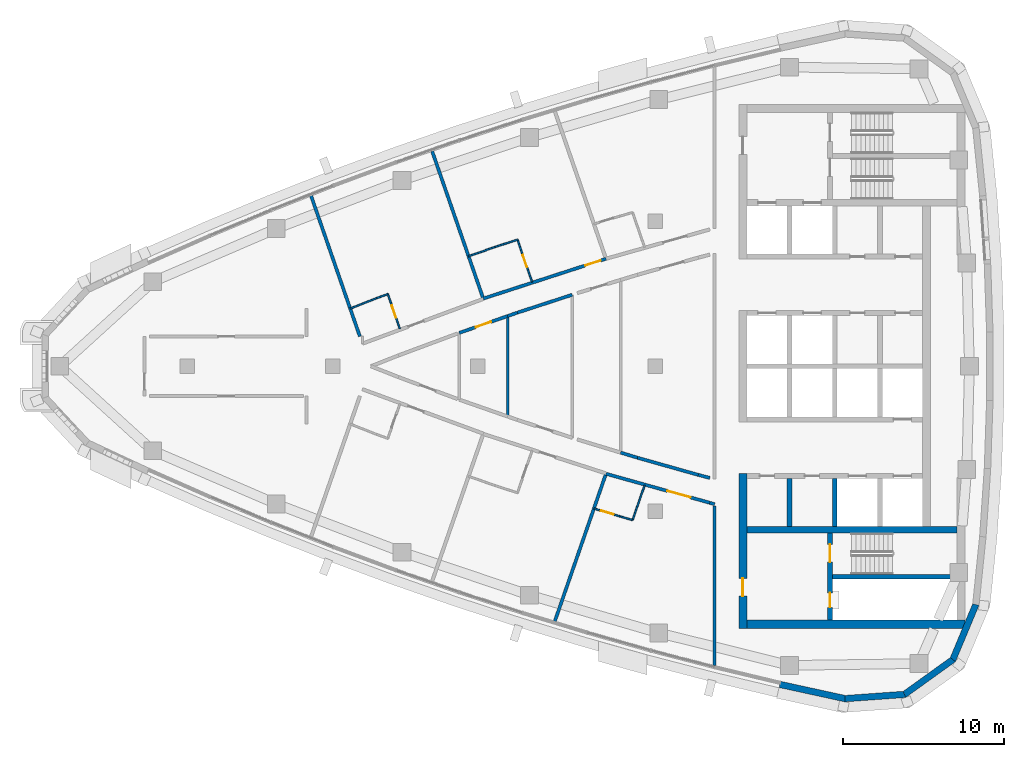
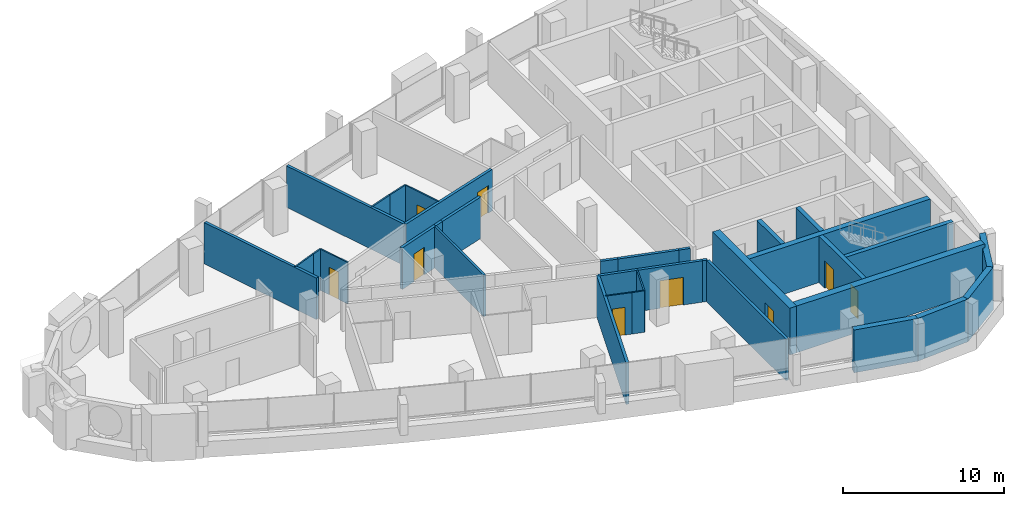
# One storey, part 8 of 14: 34 walls, 9 doors, 9 openings.
"""IFC4 building model written with IfcOpenShell, lengths in metres."""

from ifc_helpers import new_model, si_unit, direction, frame, frame_2d, origin, place, context, subcontext, project, spatial, polyline, rectangle, outline, extrude, material, layer, layer_set, type_object, element, fill, save


model = new_model("IFC4")

# Units and contexts
model_context = context("Model", 3, precision=1e-05, world=origin(), true_north=direction((0.0, 1.0)))
body_context = subcontext(model_context, "Body", "Model", "MODEL_VIEW")
ifc_project = project(units=[si_unit("LENGTHUNIT", "METRE"), si_unit("AREAUNIT", "SQUARE_METRE"), si_unit("VOLUMEUNIT", "CUBIC_METRE"), si_unit("PLANEANGLEUNIT", "RADIAN"), si_unit("MASSUNIT", "GRAM", prefix="KILO")], contexts=[model_context])

# Site, building, storey
site_placement = place(None, origin())
site = spatial("IfcSite", under=ifc_project, at=site_placement, CompositionType="ELEMENT")
building_placement = place(site_placement, origin())
building = spatial("IfcBuilding", under=site, at=building_placement, Name="Ostrand Prow Hotel Tower", CompositionType="ELEMENT")
storey_placement = place(building_placement, frame((0.0, 0.0, 299.85009765625)))
storey = spatial("IfcBuildingStorey", under=building, at=storey_placement, Name="L76", CompositionType="ELEMENT", Elevation=299.85009765625)

# Walls
ifc_material_1 = material(Name="Concrete C50/60", Category="concrete")
ifc_layer_1 = layer(ifc_material_1, 0.300048828125)
ifc_layer_set_1 = layer_set([ifc_layer_1], Name="Concrete C50/60")
wall_type_1 = type_object("IfcWallType", Name="Core wall 300 C50/60", PredefinedType="SHEAR", material=ifc_layer_set_1)
for number, where, z_axis, x_axis, name in (
    (1, (53.35009765625, -9.949951171875, 0.0), (0.0, 0.0, 1.0), (0.0, 1.0, 0.0), "Core wall PW-R1-SA"),
    (2, (56.14990234375, -9.949951171875, 0.0), (0.0, 0.0, 1.0), (0.0, 1.0, 0.0), "Core wall PW-R2-SA"),
):
    element("IfcWall", number, at=place(storey_placement, frame(where, z_axis=z_axis, x_axis=x_axis)), inside=storey, type_object=wall_type_1, Name=name, PredefinedType="SHEAR", context=body_context, shape_type="SweptSolid", body=[
        extrude(rectangle(XDim=3.0, YDim=0.300048828125, at=frame_2d((1.5, 0.0))), origin(), (0.0, 0.0, 1.0), 3.5498046875),
    ])

# Wall, openings, doors
wall_1_placement = place(storey_placement, frame((55.85009765625, -15.75, 0.0), z_axis=(0.0, 0.0, 1.0), x_axis=(0.0, 1.0, 0.0)))
wall_1 = element("IfcWall", 3, at=wall_1_placement, inside=storey, type_object=wall_type_1, Name="Core wall PW-VS", PredefinedType="SHEAR", context=body_context, shape_type="SweptSolid", body=[
    extrude(rectangle(XDim=5.39990234375, YDim=0.300048828125, at=frame_2d((2.699951171875, 0.0))), origin(), (0.0, 0.0, 1.0), 3.5498046875),
])
opening_1_placement = place(wall_1_placement, frame((3.60009765625, 0.0, 0.0)))
opening_1 = element("IfcOpeningElement", 4, at=opening_1_placement, cuts=wall_1, Name="Opening FD1", PredefinedType="OPENING", context=body_context, shape_type="SweptSolid", body=[
    extrude(rectangle(XDim=1.10009765625, YDim=2.10009765625, at=frame_2d((0.550048828125, 1.050048828125))), frame((0.0, 0.159912109375, 0.0), z_axis=(0.0, -1.0, 0.0), x_axis=(1.0, 0.0, 0.0)), (0.0, 0.0, 1.0), 0.320068359375),
])
opening_2_placement = place(wall_1_placement, frame((0.800048828125, 0.0, 0.0)))
opening_2 = element("IfcOpeningElement", 5, at=opening_2_placement, cuts=wall_1, Name="Opening FD2", PredefinedType="OPENING", context=body_context, shape_type="SweptSolid", body=[
    extrude(rectangle(XDim=0.89990234375, YDim=2.10009765625, at=frame_2d((0.449951171875, 1.050048828125))), frame((0.0, 0.159912109375, 0.0), z_axis=(0.0, -1.0, 0.0), x_axis=(1.0, 0.0, 0.0)), (0.0, 0.0, 1.0), 0.320068359375),
])
ifc_material_2 = material(Name="Steel fire door", Category="steel")
door_type_1 = type_object("IfcDoorType", Name="Fire door 1100 EI120", OperationType="SINGLE_SWING_RIGHT", PredefinedType="DOOR", material=ifc_material_2)
door_1_placement = place(opening_1_placement, origin())
door_1 = element("IfcDoor", 6, at=door_1_placement, inside=storey, type_object=door_type_1, Name="FIRE DOOR", OperationType="SINGLE_SWING_RIGHT", OverallHeight=2.10009765625, OverallWidth=1.10009765625, PredefinedType="DOOR", context=body_context, shape_type="SweptSolid", body=[
    extrude(rectangle(XDim=1.10009765625, YDim=2.10009765625, at=frame_2d((0.550048828125, 1.050048828125))), frame((0.0, 0.02490234375, 0.0), z_axis=(0.0, -1.0, 0.0), x_axis=(1.0, 0.0, 0.0)), (0.0, 0.0, 1.0), 0.050048828125),
])
fill(opening_1, door_1)
ifc_material_3 = material(Name="Steel fire door", Category="steel")
door_type_2 = type_object("IfcDoorType", Name="Fire door 900 EI120", OperationType="SINGLE_SWING_LEFT", PredefinedType="DOOR", material=ifc_material_3)
door_2_placement = place(opening_2_placement, origin())
door_2 = element("IfcDoor", 7, at=door_2_placement, inside=storey, type_object=door_type_2, Name="FIRE DOOR", OperationType="SINGLE_SWING_LEFT", OverallHeight=2.10009765625, OverallWidth=0.89990234375, PredefinedType="DOOR", context=body_context, shape_type="SweptSolid", body=[
    extrude(rectangle(XDim=0.89990234375, YDim=2.10009765625, at=frame_2d((0.449951171875, 1.050048828125))), frame((0.0, 0.02490234375, 0.0), z_axis=(0.0, -1.0, 0.0), x_axis=(1.0, 0.0, 0.0)), (0.0, 0.0, 1.0), 0.050048828125),
])
fill(opening_2, door_2)

# Walls
wall_2_placement = place(storey_placement, frame((56.0, -13.050048828125, 0.0), z_axis=(0.0, 0.0, 1.0), x_axis=(1.0, 0.0, 0.0)))
element("IfcWall", 8, at=wall_2_placement, inside=storey, type_object=wall_type_1, Name="Core wall PW-ST2R", PredefinedType="SHEAR", context=body_context, shape_type="SweptSolid", body=[
    extrude(rectangle(XDim=7.719970703125, YDim=0.300048828125, at=frame_2d((3.85986328125, 0.0))), origin(), (0.0, 0.0, 1.0), 3.5498046875),
])
ifc_material_4 = material(Name="Concrete C50/60", Category="concrete")
ifc_layer_2 = layer(ifc_material_4, 0.39990234375)
ifc_layer_set_2 = layer_set([ifc_layer_2], Name="Concrete C50/60")
wall_type_2 = type_object("IfcWallType", Name="Core wall 400 C50/60", PredefinedType="SHEAR", material=ifc_layer_set_2)
wall_3_placement = place(storey_placement, frame((50.699951171875, -10.14990234375, 0.0), z_axis=(0.0, 0.0, 1.0), x_axis=(1.0, 0.0, 0.0)))
element("IfcWall", 9, at=wall_3_placement, inside=storey, type_object=wall_type_2, Name="Core wall PW-BS", PredefinedType="SHEAR", context=body_context, shape_type="SweptSolid", body=[
    extrude(rectangle(XDim=13.02001953125, YDim=0.39990234375, at=frame_2d((6.510009765625, 0.0))), origin(), (0.0, 0.0, 1.0), 3.5498046875),
])

# Wall, opening, door
ifc_material_5 = material(Name="Concrete C50/60", Category="concrete")
ifc_layer_3 = layer(ifc_material_5, 0.5)
ifc_layer_set_3 = layer_set([ifc_layer_3], Name="Concrete C50/60")
wall_type_3 = type_object("IfcWallType", Name="Core wall 500 C50/60", PredefinedType="SHEAR", material=ifc_layer_set_3)
wall_4_placement = place(storey_placement, frame((50.449951171875, -16.25, 0.0), z_axis=(0.0, 0.0, 1.0), x_axis=(0.0, 1.0, 0.0)))
wall_4 = element("IfcWall", 10, at=wall_4_placement, inside=storey, type_object=wall_type_3, Name="Core wall CW-W-S", PredefinedType="SHEAR", context=body_context, shape_type="SweptSolid", body=[
    extrude(rectangle(XDim=9.60009765625, YDim=0.5, at=frame_2d((4.800048828125, 0.0))), origin(), (0.0, 0.0, 1.0), 3.5498046875),
])
opening_3_placement = place(wall_4_placement, frame((2.0, 0.0, 0.0)))
opening_3 = element("IfcOpeningElement", 11, at=opening_3_placement, cuts=wall_4, Name="Opening FD1", PredefinedType="OPENING", context=body_context, shape_type="SweptSolid", body=[
    extrude(rectangle(XDim=1.10009765625, YDim=2.10009765625, at=frame_2d((0.550048828125, 1.050048828125))), frame((0.0, 0.260009765625, 0.0), z_axis=(0.0, -1.0, 0.0), x_axis=(1.0, 0.0, 0.0)), (0.0, 0.0, 1.0), 0.52001953125),
])
door_3_placement = place(opening_3_placement, origin())
door_3 = element("IfcDoor", 12, at=door_3_placement, inside=storey, type_object=door_type_1, Name="FIRE DOOR", OperationType="SINGLE_SWING_RIGHT", OverallHeight=2.10009765625, OverallWidth=1.10009765625, PredefinedType="DOOR", context=body_context, shape_type="SweptSolid", body=[
    extrude(rectangle(XDim=1.10009765625, YDim=2.10009765625, at=frame_2d((0.550048828125, 1.050048828125))), frame((0.0, 0.02490234375, 0.0), z_axis=(0.0, -1.0, 0.0), x_axis=(1.0, 0.0, 0.0)), (0.0, 0.0, 1.0), 0.050048828125),
])
fill(opening_3, door_3)

# Walls
wall_5_placement = place(storey_placement, frame((50.699951171875, -16.0, 0.0), z_axis=(0.0, 0.0, 1.0), x_axis=(1.0, 0.0, 0.0)))
element("IfcWall", 13, at=wall_5_placement, inside=storey, type_object=wall_type_3, Name="Core wall CW-S", PredefinedType="SHEAR", context=body_context, shape_type="SweptSolid", body=[
    extrude(rectangle(XDim=13.52001953125, YDim=0.5, at=frame_2d((6.760009765625, 0.0))), origin(), (0.0, 0.0, 1.0), 3.5498046875),
])
ifc_material_6 = material(Name="Plasterboard partition")
ifc_layer_4 = layer(ifc_material_6, 0.10009765625)
ifc_layer_set_4 = layer_set([ifc_layer_4], Name="Plasterboard partition")
wall_type_4 = type_object("IfcWallType", Name="Partition 100 bathroom wall", PredefinedType="PARTITIONING", material=ifc_layer_set_4)
wall_6_placement = place(storey_placement, frame((26.095703125, 3.576171875, 0.0), z_axis=(0.0, 0.0, 1.0), x_axis=(0.930254925629, 0.366913850028, 0.0)))
element("IfcWall", 14, at=wall_6_placement, inside=storey, type_object=wall_type_4, Name="BATHROOM WALL", PredefinedType="PARTITIONING", context=body_context, shape_type="SweptSolid", body=[
    extrude(rectangle(XDim=1.760009765625, YDim=0.10009765625, at=frame_2d((0.8798828125, 0.0))), origin(), (0.0, 0.0, 1.0), 3.14990234375),
])
wall_7_placement = place(storey_placement, frame((27.73291015625, 4.221923828125, 0.0), z_axis=(0.0, 0.0, 1.0), x_axis=(0.937514267289, 0.347946833049, 0.0)))
element("IfcWall", 15, at=wall_7_placement, inside=storey, type_object=wall_type_4, Name="BATHROOM WALL", PredefinedType="PARTITIONING", context=body_context, shape_type="SweptSolid", body=[
    extrude(rectangle(XDim=0.74169921875, YDim=0.10009765625, at=frame_2d((0.370849609375, 0.0))), origin(), (0.0, 0.0, 1.0), 3.14990234375),
])

# Wall, opening, door
wall_8_placement = place(storey_placement, frame((28.42822265625, 4.47998046875, 0.0), z_axis=(0.0, 0.0, 1.0), x_axis=(0.327718024288, -0.944775579996, 0.0)))
wall_8 = element("IfcWall", 16, at=wall_8_placement, inside=storey, type_object=wall_type_4, Name="BATHROOM WALL", PredefinedType="PARTITIONING", context=body_context, shape_type="SweptSolid", body=[
    extrude(rectangle(XDim=2.27734375, YDim=0.10009765625, at=frame_2d((1.138671875, 0.0))), origin(), (0.0, 0.0, 1.0), 3.14990234375),
])
opening_4_placement = place(wall_8_placement, frame((0.75, 0.0, 0.0)))
opening_4 = element("IfcOpeningElement", 17, at=opening_4_placement, cuts=wall_8, Name="Opening D2", PredefinedType="OPENING", context=body_context, shape_type="SweptSolid", body=[
    extrude(rectangle(XDim=0.800048828125, YDim=2.10009765625, at=frame_2d((0.39990234375, 1.050048828125))), frame((0.0, 0.06005859375, 0.0), z_axis=(0.0, -1.0, 0.0), x_axis=(1.0, 0.0, 0.0)), (0.0, 0.0, 1.0), 0.1201171875),
])
ifc_material_7 = material(Name="Timber door leaf", Category="wood")
door_type_3 = type_object("IfcDoorType", Name="Bathroom door 800", OperationType="SINGLE_SWING_LEFT", PredefinedType="DOOR", material=ifc_material_7)
door_4_placement = place(opening_4_placement, origin())
door_4 = element("IfcDoor", 18, at=door_4_placement, inside=storey, type_object=door_type_3, Name="DOOR", OperationType="SINGLE_SWING_LEFT", OverallHeight=2.10009765625, OverallWidth=0.800048828125, PredefinedType="DOOR", context=body_context, shape_type="SweptSolid", body=[
    extrude(rectangle(XDim=0.800048828125, YDim=2.10009765625, at=frame_2d((0.39990234375, 1.050048828125))), frame((0.0, 0.02490234375, 0.0), z_axis=(0.0, -1.0, 0.0), x_axis=(1.0, 0.0, 0.0)), (0.0, 0.0, 1.0), 0.050048828125),
])
fill(opening_4, door_4)

# Walls
wall_9_placement = place(storey_placement, frame((33.4365234375, 6.824462890625, 0.0), z_axis=(0.0, 0.0, 1.0), x_axis=(0.944260018318, 0.329200573825, 0.0)))
element("IfcWall", 19, at=wall_9_placement, inside=storey, type_object=wall_type_4, Name="BATHROOM WALL", PredefinedType="PARTITIONING", context=body_context, shape_type="SweptSolid", body=[
    extrude(rectangle(XDim=1.740478515625, YDim=0.10009765625, at=frame_2d((0.8701171875, 0.0))), origin(), (0.0, 0.0, 1.0), 3.14990234375),
])
wall_10_placement = place(storey_placement, frame((35.080078125, 7.3974609375, 0.0), z_axis=(0.0, 0.0, 1.0), x_axis=(0.95070411494, 0.310099477322, 0.0)))
element("IfcWall", 20, at=wall_10_placement, inside=storey, type_object=wall_type_4, Name="BATHROOM WALL", PredefinedType="PARTITIONING", context=body_context, shape_type="SweptSolid", body=[
    extrude(rectangle(XDim=1.459716796875, YDim=0.10009765625, at=frame_2d((0.72998046875, 0.0))), origin(), (0.0, 0.0, 1.0), 3.14990234375),
])

# Wall, opening, door
wall_11_placement = place(storey_placement, frame((36.4677734375, 7.849853515625, 0.0), z_axis=(0.0, 0.0, 1.0), x_axis=(0.327702248101, -0.944781052197, 0.0)))
wall_11 = element("IfcWall", 21, at=wall_11_placement, inside=storey, type_object=wall_type_4, Name="BATHROOM WALL", PredefinedType="PARTITIONING", context=body_context, shape_type="SweptSolid", body=[
    extrude(rectangle(XDim=2.77734375, YDim=0.10009765625, at=frame_2d((1.388671875, 0.0))), origin(), (0.0, 0.0, 1.0), 3.14990234375),
])
opening_5_placement = place(wall_11_placement, frame((1.0, 0.0, 0.0)))
opening_5 = element("IfcOpeningElement", 22, at=opening_5_placement, cuts=wall_11, Name="Opening D2", PredefinedType="OPENING", context=body_context, shape_type="SweptSolid", body=[
    extrude(rectangle(XDim=0.800048828125, YDim=2.10009765625, at=frame_2d((0.39990234375, 1.050048828125))), frame((0.0, 0.06005859375, 0.0), z_axis=(0.0, -1.0, 0.0), x_axis=(1.0, 0.0, 0.0)), (0.0, 0.0, 1.0), 0.1201171875),
])
door_5_placement = place(opening_5_placement, origin())
door_5 = element("IfcDoor", 23, at=door_5_placement, inside=storey, type_object=door_type_3, Name="DOOR", OperationType="SINGLE_SWING_LEFT", OverallHeight=2.10009765625, OverallWidth=0.800048828125, PredefinedType="DOOR", context=body_context, shape_type="SweptSolid", body=[
    extrude(rectangle(XDim=0.800048828125, YDim=2.10009765625, at=frame_2d((0.39990234375, 1.050048828125))), frame((0.0, 0.02490234375, 0.0), z_axis=(0.0, -1.0, 0.0), x_axis=(1.0, 0.0, 0.0)), (0.0, 0.0, 1.0), 0.050048828125),
])
fill(opening_5, door_5)

# Walls
wall_12_placement = place(storey_placement, frame((44.357177734375, -7.380859375, 0.0), z_axis=(0.0, 0.0, 1.0), x_axis=(-0.32773175909, -0.944770815639, 0.0)))
element("IfcWall", 24, at=wall_12_placement, inside=storey, type_object=wall_type_4, Name="BATHROOM WALL", PredefinedType="PARTITIONING", context=body_context, shape_type="SweptSolid", body=[
    extrude(rectangle(XDim=2.281005859375, YDim=0.10009765625, at=frame_2d((1.140625, 0.0))), origin(), (0.0, 0.0, 1.0), 3.14990234375),
])
wall_13_placement = place(storey_placement, frame((43.609619140625, -9.535888671875, 0.0), z_axis=(0.0, 0.0, 1.0), x_axis=(-0.962370937031, 0.271739175603, 0.0)))
element("IfcWall", 25, at=wall_13_placement, inside=storey, type_object=wall_type_4, Name="BATHROOM WALL", PredefinedType="PARTITIONING", context=body_context, shape_type="SweptSolid", body=[
    extrude(rectangle(XDim=0.789794921875, YDim=0.10009765625, at=frame_2d((0.39501953125, 0.0))), origin(), (0.0, 0.0, 1.0), 3.14990234375),
])

# Wall, opening, door
wall_14_placement = place(storey_placement, frame((42.849609375, -9.3212890625, 0.0), z_axis=(0.0, 0.0, 1.0), x_axis=(-0.95674463014, 0.290929050971, 0.0)))
wall_14 = element("IfcWall", 26, at=wall_14_placement, inside=storey, type_object=wall_type_4, Name="BATHROOM WALL", PredefinedType="PARTITIONING", context=body_context, shape_type="SweptSolid", body=[
    extrude(rectangle(XDim=1.712646484375, YDim=0.10009765625, at=frame_2d((0.8564453125, 0.0))), origin(), (0.0, 0.0, 1.0), 3.14990234375),
])
opening_6_placement = place(wall_14_placement, frame((0.449951171875, 0.0, 0.0)))
opening_6 = element("IfcOpeningElement", 27, at=opening_6_placement, cuts=wall_14, Name="Opening D2", PredefinedType="OPENING", context=body_context, shape_type="SweptSolid", body=[
    extrude(rectangle(XDim=0.800048828125, YDim=2.10009765625, at=frame_2d((0.39990234375, 1.050048828125))), frame((0.0, 0.06005859375, 0.0), z_axis=(0.0, -1.0, 0.0), x_axis=(1.0, 0.0, 0.0)), (0.0, 0.0, 1.0), 0.1201171875),
])
door_6_placement = place(opening_6_placement, origin())
door_6 = element("IfcDoor", 28, at=door_6_placement, inside=storey, type_object=door_type_3, Name="DOOR", OperationType="SINGLE_SWING_LEFT", OverallHeight=2.10009765625, OverallWidth=0.800048828125, PredefinedType="DOOR", context=body_context, shape_type="SweptSolid", body=[
    extrude(rectangle(XDim=0.800048828125, YDim=2.10009765625, at=frame_2d((0.39990234375, 1.050048828125))), frame((0.0, 0.02490234375, 0.0), z_axis=(0.0, -1.0, 0.0), x_axis=(1.0, 0.0, 0.0)), (0.0, 0.0, 1.0), 0.050048828125),
])
fill(opening_6, door_6)

# Wall
ifc_material_8 = material(Name="Plasterboard partition")
ifc_layer_5 = layer(ifc_material_8, 0.14990234375)
ifc_layer_set_5 = layer_set([ifc_layer_5], Name="Plasterboard partition")
wall_type_5 = type_object("IfcWallType", Name="Partition 150 room partition", PredefinedType="PARTITIONING", material=ifc_layer_set_5)
wall_15_placement = place(storey_placement, frame((35.85498046875, -3.11376953125, 0.0), z_axis=(0.0, 0.0, 1.0), x_axis=(0.0, 1.0, 0.0)))
element("IfcWall", 29, at=wall_15_placement, inside=storey, type_object=wall_type_5, Name="ROOM PARTITION", PredefinedType="PARTITIONING", context=body_context, shape_type="SweptSolid", body=[
    extrude(rectangle(XDim=6.2275390625, YDim=0.14990234375, at=frame_2d((3.11376953125, 0.0))), origin(), (0.0, 0.0, 1.0), 3.14990234375),
])

# Wall, opening, door
ifc_material_9 = material(Name="Plasterboard partition")
ifc_layer_6 = layer(ifc_material_9, 0.199951171875)
ifc_layer_set_6 = layer_set([ifc_layer_6], Name="Plasterboard partition")
wall_type_6 = type_object("IfcWallType", Name="Partition 200 corridor wall", PredefinedType="PARTITIONING", material=ifc_layer_set_6)
wall_16_placement = place(storey_placement, frame((41.95849609375, 6.66748046875, 0.0), z_axis=(0.0, 0.0, 1.0), x_axis=(-0.95118530316, -0.308620347761, 0.0)))
wall_16 = element("IfcWall", 30, at=wall_16_placement, inside=storey, type_object=wall_type_6, Name="CORRIDOR WALL", PredefinedType="PARTITIONING", context=body_context, shape_type="SweptSolid", body=[
    extrude(rectangle(XDim=8.001708984375, YDim=0.199951171875, at=frame_2d((4.0009765625, 0.0))), origin(), (0.0, 0.0, 1.0), 3.14990234375),
])
opening_7_placement = place(wall_16_placement, frame((0.35009765625, 0.0, 0.0)))
opening_7 = element("IfcOpeningElement", 31, at=opening_7_placement, cuts=wall_16, Name="Opening D1", PredefinedType="OPENING", context=body_context, shape_type="SweptSolid", body=[
    extrude(rectangle(XDim=1.0, YDim=2.10009765625, at=frame_2d((0.5, 1.050048828125))), frame((0.0, 0.10986328125, 0.0), z_axis=(0.0, -1.0, 0.0), x_axis=(1.0, 0.0, 0.0)), (0.0, 0.0, 1.0), 0.219970703125),
])
ifc_material_10 = material(Name="Timber door leaf", Category="wood")
door_type_4 = type_object("IfcDoorType", Name="Guest room door 1000", OperationType="SINGLE_SWING_LEFT", PredefinedType="DOOR", material=ifc_material_10)
door_7_placement = place(opening_7_placement, origin())
door_7 = element("IfcDoor", 32, at=door_7_placement, inside=storey, type_object=door_type_4, Name="DOOR", OperationType="SINGLE_SWING_LEFT", OverallHeight=2.10009765625, OverallWidth=1.0, PredefinedType="DOOR", context=body_context, shape_type="SweptSolid", body=[
    extrude(rectangle(XDim=1.0, YDim=2.10009765625, at=frame_2d((0.5, 1.050048828125))), frame((0.0, 0.02490234375, 0.0), z_axis=(0.0, -1.0, 0.0), x_axis=(1.0, 0.0, 0.0)), (0.0, 0.0, 1.0), 0.050048828125),
])
fill(opening_7, door_7)

wall_17_placement = place(storey_placement, frame((32.85498046875, 2.06787109375, 0.0), z_axis=(0.0, 0.0, 1.0), x_axis=(0.944260188635, 0.329200085296, 0.0)))
wall_17 = element("IfcWall", 33, at=wall_17_placement, inside=storey, type_object=wall_type_6, Name="CORRIDOR WALL", PredefinedType="PARTITIONING", context=body_context, shape_type="SweptSolid", body=[
    extrude(rectangle(XDim=3.177001953125, YDim=0.199951171875, at=frame_2d((1.58837890625, 0.0))), origin(), (0.0, 0.0, 1.0), 3.14990234375),
])
opening_8_placement = place(wall_17_placement, frame((1.08837890625, 0.0, 0.0)))
opening_8 = element("IfcOpeningElement", 34, at=opening_8_placement, cuts=wall_17, Name="Opening D1", PredefinedType="OPENING", context=body_context, shape_type="SweptSolid", body=[
    extrude(rectangle(XDim=1.0, YDim=2.10009765625, at=frame_2d((0.5, 1.050048828125))), frame((0.0, 0.10986328125, 0.0), z_axis=(0.0, -1.0, 0.0), x_axis=(1.0, 0.0, 0.0)), (0.0, 0.0, 1.0), 0.219970703125),
])
door_8_placement = place(opening_8_placement, origin())
door_8 = element("IfcDoor", 35, at=door_8_placement, inside=storey, type_object=door_type_4, Name="DOOR", OperationType="SINGLE_SWING_LEFT", OverallHeight=2.10009765625, OverallWidth=1.0, PredefinedType="DOOR", context=body_context, shape_type="SweptSolid", body=[
    extrude(rectangle(XDim=1.0, YDim=2.10009765625, at=frame_2d((0.5, 1.050048828125))), frame((0.0, 0.02490234375, 0.0), z_axis=(0.0, -1.0, 0.0), x_axis=(1.0, 0.0, 0.0)), (0.0, 0.0, 1.0), 0.050048828125),
])
fill(opening_8, door_8)

# Walls
wall_18_placement = place(storey_placement, frame((35.85498046875, 3.11376953125, 0.0), z_axis=(0.0, 0.0, 1.0), x_axis=(0.944289130413, 0.329117058483, 0.0)))
element("IfcWall", 36, at=wall_18_placement, inside=storey, type_object=wall_type_6, Name="CORRIDOR WALL", PredefinedType="PARTITIONING", context=body_context, shape_type="SweptSolid", body=[
    extrude(rectangle(XDim=0.635009765625, YDim=0.199951171875, at=frame_2d((0.3173828125, 0.0))), origin(), (0.0, 0.0, 1.0), 3.14990234375),
])
wall_19_placement = place(storey_placement, frame((36.45458984375, 3.32275390625, 0.0), z_axis=(0.0, 0.0, 1.0), x_axis=(0.950718067733, 0.310056697535, 0.0)))
element("IfcWall", 37, at=wall_19_placement, inside=storey, type_object=wall_type_6, Name="CORRIDOR WALL", PredefinedType="PARTITIONING", context=body_context, shape_type="SweptSolid", body=[
    extrude(rectangle(XDim=3.588134765625, YDim=0.199951171875, at=frame_2d((1.7939453125, 0.0))), origin(), (0.0, 0.0, 1.0), 3.14990234375),
])
wall_20_placement = place(storey_placement, frame((47.684326171875, -6.737548828125, 0.0), z_axis=(0.0, 0.0, 1.0), x_axis=(-0.962411212211, 0.271596499628, 0.0)))
element("IfcWall", 38, at=wall_20_placement, inside=storey, type_object=wall_type_6, Name="CORRIDOR WALL", PredefinedType="PARTITIONING", context=body_context, shape_type="SweptSolid", body=[
    extrude(rectangle(XDim=3.912841796875, YDim=0.199951171875, at=frame_2d((1.95654296875, 0.0))), origin(), (0.0, 0.0, 1.0), 3.14990234375),
])
wall_21_placement = place(storey_placement, frame((43.91845703125, -5.6748046875, 0.0), z_axis=(0.0, 0.0, 1.0), x_axis=(-0.956676567943, 0.291152785233, 0.0)))
element("IfcWall", 39, at=wall_21_placement, inside=storey, type_object=wall_type_6, Name="CORRIDOR WALL", PredefinedType="PARTITIONING", context=body_context, shape_type="SweptSolid", body=[
    extrude(rectangle(XDim=1.10009765625, YDim=0.199951171875, at=frame_2d((0.550048828125, 0.0))), origin(), (0.0, 0.0, 1.0), 3.14990234375),
])

# Wall, opening, door
wall_22_placement = place(storey_placement, frame((41.95849609375, -6.66748046875, 0.0), z_axis=(0.0, 0.0, 1.0), x_axis=(0.963063656884, -0.269273824925, 0.0)))
wall_22 = element("IfcWall", 40, at=wall_22_placement, inside=storey, type_object=wall_type_6, Name="CORRIDOR WALL", PredefinedType="PARTITIONING", context=body_context, shape_type="SweptSolid", body=[
    extrude(rectangle(XDim=6.6884765625, YDim=0.199951171875, at=frame_2d((3.34423828125, 0.0))), origin(), (0.0, 0.0, 1.0), 3.14990234375),
])
opening_9_placement = place(wall_22_placement, frame((3.949951171875, 0.0, 0.0)))
opening_9 = element("IfcOpeningElement", 41, at=opening_9_placement, cuts=wall_22, Name="Opening D15", PredefinedType="OPENING", context=body_context, shape_type="SweptSolid", body=[
    extrude(rectangle(XDim=1.5, YDim=2.10009765625, at=frame_2d((0.75, 1.050048828125))), frame((0.0, 0.10986328125, 0.0), z_axis=(0.0, -1.0, 0.0), x_axis=(1.0, 0.0, 0.0)), (0.0, 0.0, 1.0), 0.219970703125),
])
ifc_material_11 = material(Name="Timber door leaf", Category="wood")
door_type_5 = type_object("IfcDoorType", Name="Double door 1500", OperationType="DOUBLE_DOOR_SINGLE_SWING", PredefinedType="DOOR", material=ifc_material_11)
door_9_placement = place(opening_9_placement, origin())
door_9 = element("IfcDoor", 42, at=door_9_placement, inside=storey, type_object=door_type_5, Name="DOOR", OperationType="DOUBLE_DOOR_SINGLE_SWING", OverallHeight=2.10009765625, OverallWidth=1.5, PredefinedType="DOOR", context=body_context, shape_type="SweptSolid", body=[
    extrude(rectangle(XDim=1.5, YDim=2.10009765625, at=frame_2d((0.75, 1.050048828125))), frame((0.0, 0.02490234375, 0.0), z_axis=(0.0, -1.0, 0.0), x_axis=(1.0, 0.0, 0.0)), (0.0, 0.0, 1.0), 0.050048828125),
])
fill(opening_9, door_9)

# Walls
wall_23_placement = place(storey_placement, frame((48.39990234375, -6.92431640625, 0.0), z_axis=(0.0, 0.0, 1.0), x_axis=(-0.967585713416, 0.252542842294, 0.0)))
element("IfcWall", 43, at=wall_23_placement, inside=storey, type_object=wall_type_6, Name="CORRIDOR WALL", PredefinedType="PARTITIONING", context=body_context, shape_type="SweptSolid", body=[
    extrude(rectangle(XDim=0.739501953125, YDim=0.199951171875, at=frame_2d((0.36962890625, 0.0))), origin(), (0.0, 0.0, 1.0), 3.14990234375),
])
wall_24_placement = place(storey_placement, frame((48.39990234375, -8.468505859375, 0.0), z_axis=(0.0, 0.0, 1.0), x_axis=(0.958495645602, -0.285107168207, 0.0)))
element("IfcWall", 44, at=wall_24_placement, inside=storey, type_object=wall_type_6, Name="CORRIDOR WALL", PredefinedType="PARTITIONING", context=body_context, shape_type="SweptSolid", body=[
    extrude(rectangle(XDim=0.31005859375, YDim=0.199951171875, at=frame_2d((0.155029296875, 0.0))), origin(), (0.0, 0.0, 1.0), 3.14990234375),
])
wall_25_placement = place(storey_placement, frame((48.695068359375, -8.67626953125, 0.0), z_axis=(0.0, 0.0, 1.0), x_axis=(0.0, -1.0, 0.0)))
element("IfcWall", 45, at=wall_25_placement, inside=storey, type_object=wall_type_6, Name="CORRIDOR WALL", PredefinedType="PARTITIONING", context=body_context, shape_type="SweptSolid", body=[
    extrude(rectangle(XDim=9.876708984375, YDim=0.199951171875, at=frame_2d((4.9384765625, 0.0))), origin(), (0.0, 0.0, 1.0), 3.14990234375),
])
ifc_material_12 = material(Name="Plasterboard partition")
ifc_layer_7 = layer(ifc_material_12, 0.199951171875)
ifc_layer_set_7 = layer_set([ifc_layer_7], Name="Plasterboard partition")
wall_type_7 = type_object("IfcWallType", Name="Partition 200 key partition", PredefinedType="PARTITIONING", material=ifc_layer_set_7)
wall_26_placement = place(storey_placement, frame((26.6943359375, 1.85009765625, 0.0), z_axis=(0.0, 0.0, 1.0), x_axis=(-0.327714422317, 0.944776829418, 0.0)))
element("IfcWall", 46, at=wall_26_placement, inside=storey, type_object=wall_type_7, Name="KEY PARTITION", PredefinedType="PARTITIONING", context=body_context, shape_type="SweptSolid", body=[
    extrude(rectangle(XDim=9.2333984375, YDim=0.199951171875, at=frame_2d((4.61669921875, 0.0))), origin(), (0.0, 0.0, 1.0), 3.14990234375),
])
wall_27_placement = place(storey_placement, frame((34.35400390625, 4.178955078125, 0.0), z_axis=(0.0, 0.0, 1.0), x_axis=(-0.327696596093, 0.944783012606, 0.0)))
element("IfcWall", 47, at=wall_27_placement, inside=storey, type_object=wall_type_7, Name="KEY PARTITION", PredefinedType="PARTITIONING", context=body_context, shape_type="SweptSolid", body=[
    extrude(rectangle(XDim=9.7001953125, YDim=0.199951171875, at=frame_2d((4.85009765625, 0.0))), origin(), (0.0, 0.0, 1.0), 3.14990234375),
])
wall_28_placement = place(storey_placement, frame((38.783935546875, -15.819580078125, 0.0), z_axis=(0.0, 0.0, 1.0), x_axis=(0.327710853631, 0.944778067279, 0.0)))
element("IfcWall", 48, at=wall_28_placement, inside=storey, type_object=wall_type_7, Name="KEY PARTITION", PredefinedType="PARTITIONING", context=body_context, shape_type="SweptSolid", body=[
    extrude(rectangle(XDim=9.707275390625, YDim=0.199951171875, at=frame_2d((4.853515625, 0.0))), origin(), (0.0, 0.0, 1.0), 3.14990234375),
])
ifc_material_13 = material(Name="Precast concrete C40/50", Category="concrete")
ifc_layer_8 = layer(ifc_material_13, 0.39990234375)
ifc_layer_set_8 = layer_set([ifc_layer_8], Name="Precast concrete C40/50")
wall_type_8 = type_object("IfcWallType", Name="Stone-faced precast wall 400 mm", PredefinedType="NOTDEFINED", material=ifc_layer_set_8)
wall_29_placement = place(storey_placement, frame((52.73828125, -19.73193359375, 0.0), z_axis=(0.0, 0.0, 1.0), x_axis=(0.977020225348, -0.213146614471, 0.0)))
element("IfcWall", 49, at=wall_29_placement, inside=storey, type_object=wall_type_8, Name="Stone-faced wall back 1", PredefinedType="NOTDEFINED", context=body_context, shape_type="SweptSolid", body=[
    extrude(outline(polyline([(0.0, -0.199951171875), (4.170654296875, -0.199951171875), (4.113037109375, 0.199951171875), (0.0, 0.199951171875), (0.0, -0.199951171875)])), origin(), (0.0, 0.0, 1.0), 3.25),
])
wall_30_placement = place(storey_placement, frame((56.784912109375, -20.61474609375, 0.0), z_axis=(0.0, 0.0, 1.0), x_axis=(0.99746272096, 0.071190731806, 0.0)))
element("IfcWall", 50, at=wall_30_placement, inside=storey, type_object=wall_type_8, Name="Stone-faced wall back 2", PredefinedType="NOTDEFINED", context=body_context, shape_type="SweptSolid", body=[
    extrude(outline(polyline([(-0.02880859375, -0.199951171875), (3.75341796875, -0.199951171875), (3.64013671875, 0.199951171875), (0.02880859375, 0.199951171875), (-0.02880859375, -0.199951171875)])), origin(), (0.0, 0.0, 1.0), 3.25),
])
wall_31_placement = place(storey_placement, frame((60.472412109375, -20.3515625, 0.0), z_axis=(0.0, 0.0, 1.0), x_axis=(0.811962548682, 0.583709533533, 0.0)))
element("IfcWall", 51, at=wall_31_placement, inside=storey, type_object=wall_type_8, Name="Stone-faced wall back 3", PredefinedType="NOTDEFINED", context=body_context, shape_type="SweptSolid", body=[
    extrude(outline(polyline([(-0.056640625, -0.199951171875), (3.753173828125, -0.199951171875), (3.639892578125, 0.199951171875), (0.056640625, 0.199951171875), (-0.056640625, -0.199951171875)])), origin(), (0.0, 0.0, 1.0), 3.25),
])
wall_32_placement = place(storey_placement, frame((63.473876953125, -18.19384765625, 0.0), z_axis=(0.0, 0.0, 1.0), x_axis=(0.385285857918, 0.922797273343, 0.0)))
element("IfcWall", 52, at=wall_32_placement, inside=storey, type_object=wall_type_8, Name="Stone-faced wall back 4", PredefinedType="NOTDEFINED", context=body_context, shape_type="SweptSolid", body=[
    extrude(outline(polyline([(-0.056640625, -0.199951171875), (3.726318359375, -0.199951171875), (3.667236328125, 0.199951171875), (0.056640625, 0.199951171875), (-0.056640625, -0.199951171875)])), origin(), (0.0, 0.0, 1.0), 3.25),
])

save(model, "model.ifc")
